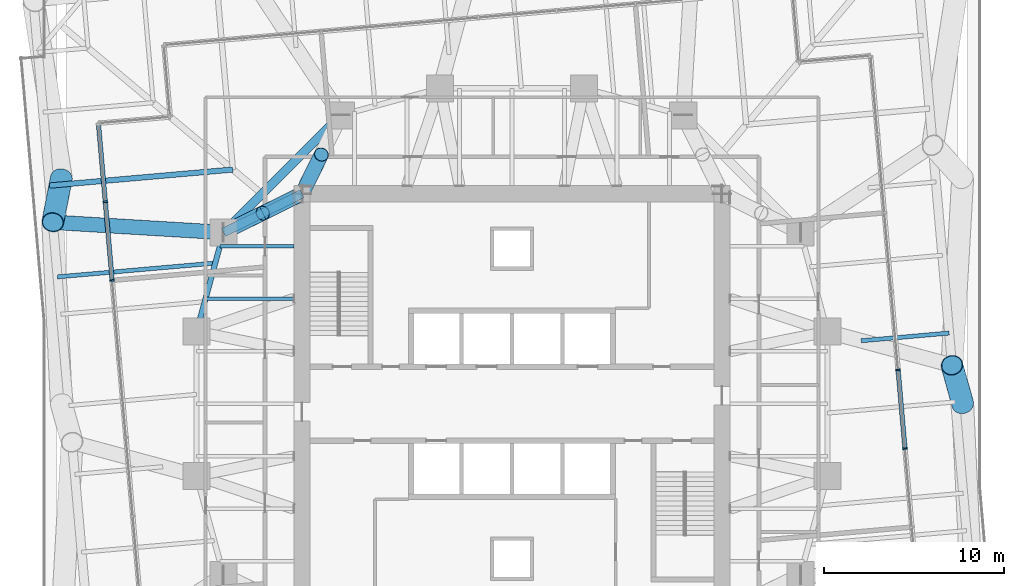
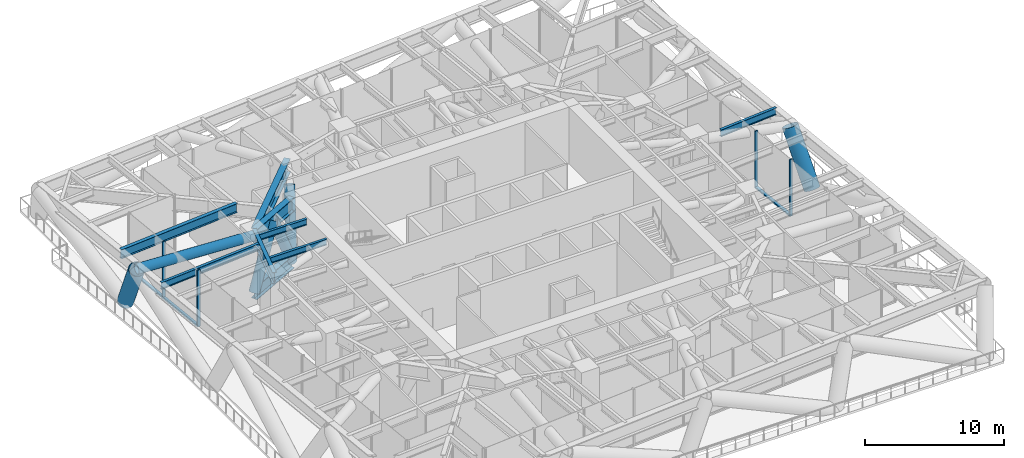
# One storey, part 5 of 14: 15 members, 7 beams, 2 elements without a shape of their own.
"""IFC4 building model written with IfcOpenShell, lengths in metres."""

from ifc_helpers import new_model, si_unit, direction, frame, origin, origin_2d, place, context, subcontext, project, spatial, rectangle, hollow_circle, i_section, extrude, material, material_profile, profile_set, type_object, element, aggregate, save


model = new_model("IFC4")

# Units and contexts
model_context = context("Model", 3, precision=1e-05, world=origin(), true_north=direction((0.0, 1.0)))
body_context = subcontext(model_context, "Body", "Model", "MODEL_VIEW")
ifc_project = project(units=[si_unit("LENGTHUNIT", "METRE"), si_unit("AREAUNIT", "SQUARE_METRE"), si_unit("VOLUMEUNIT", "CUBIC_METRE"), si_unit("PLANEANGLEUNIT", "RADIAN"), si_unit("MASSUNIT", "GRAM", prefix="KILO")], contexts=[model_context])

# Site, building, storey
site_placement = place(None, origin())
site = spatial("IfcSite", under=ifc_project, at=site_placement, CompositionType="ELEMENT")
building_placement = place(site_placement, origin())
building = spatial("IfcBuilding", under=site, at=building_placement, Name="Torsade Residences", CompositionType="ELEMENT")
storey_placement = place(building_placement, frame((0.0, 0.0, 42.199951171875)))
storey = spatial("IfcBuildingStorey", under=building, at=storey_placement, Name="L11", CompositionType="ELEMENT", Elevation=42.199951171875)

# Beams
ifc_material_1 = material(Name="Steel grade 300", Category="steel")
ifc_material_profile_1 = material_profile(ifc_material_1, i_section(OverallWidth=0.208984375, OverallDepth=0.528076171875, WebThickness=0.009521484375, FlangeThickness=0.01318359375, FilletRadius=0.013916015625, at=origin_2d()), Name="530UB82.0")
ifc_profile_set_1 = profile_set([ifc_material_profile_1], Name="Steel grade 300")
beam_type_1 = type_object("IfcBeamType", Name="INNER FLOOR BEAM 530UB82.0", PredefinedType="JOIST", material=ifc_profile_set_1)
beam_1_placement = place(storey_placement, frame((27.89990234375, 38.737548828125, 4.5859375), z_axis=(-1.0, 0.0, 0.0), x_axis=(0.0, -1.0, 0.0)))
element("IfcBeam", 1, at=beam_1_placement, inside=storey, type_object=beam_type_1, Name="Inner floor beam IW01 L12", PredefinedType="JOIST", context=body_context, shape_type="SweptSolid", body=[
    extrude(i_section(OverallWidth=0.208984375, OverallDepth=0.528076171875, WebThickness=0.009521484375, FlangeThickness=0.01318359375, FilletRadius=0.013916015625, at=origin_2d()), origin(), (0.0, 0.0, 1.0), 4.10791015625),
])
beam_2_placement = place(storey_placement, frame((27.89990234375, 35.824951171875, 4.5859375), z_axis=(-1.0, 0.0, 0.0), x_axis=(0.0, -1.0, 0.0)))
element("IfcBeam", 2, at=beam_2_placement, inside=storey, type_object=beam_type_1, Name="Inner floor beam IW02 L12", PredefinedType="JOIST", context=body_context, shape_type="SweptSolid", body=[
    extrude(i_section(OverallWidth=0.208984375, OverallDepth=0.528076171875, WebThickness=0.009521484375, FlangeThickness=0.01318359375, FilletRadius=0.013916015625, at=origin_2d()), origin(), (0.0, 0.0, 1.0), 4.902099609375),
])

# Members
ifc_material_2 = material(Name="Steel grade 350", Category="steel")
ifc_material_profile_2 = material_profile(ifc_material_2, i_section(OverallWidth=0.5, OverallDepth=1.199951171875, WebThickness=0.031982421875, FlangeThickness=0.050048828125, at=origin_2d()), Name="1200x500x50x32WPG")
ifc_profile_set_2 = profile_set([ifc_material_profile_2], Name="Steel grade 350")
member_type_1 = type_object("IfcMemberType", Name="OUTRIGGER CHORD", PredefinedType="CHORD", material=ifc_profile_set_2)
for number, where, z_axis, x_axis, name in (
    (3, (28.35009765625, 41.64990234375, 4.25), (-0.896490509266, -0.443062937737, 0.0), (0.443062937737, -0.896490509266, 0.0), "Outrigger IR08 top chord L11"),
    (4, (28.35009765625, 41.64990234375, -0.75), (-0.896490509266, -0.443062937737, 0.0), (0.443062937737, -0.896490509266, 0.0), "Outrigger IR08 bottom chord L11"),
):
    element("IfcMember", number, at=place(storey_placement, frame(where, z_axis=z_axis, x_axis=x_axis)), inside=storey, type_object=member_type_1, Name=name, PredefinedType="CHORD", context=body_context, shape_type="SweptSolid", body=[
        extrude(i_section(OverallWidth=0.5, OverallDepth=1.199951171875, WebThickness=0.031982421875, FlangeThickness=0.050048828125, at=origin_2d()), origin(), (0.0, 0.0, 1.0), 4.852294921875),
    ])
ifc_material_3 = material(Name="Steel grade 450", Category="steel")
ifc_material_profile_3 = material_profile(ifc_material_3, hollow_circle(Radius=0.406494140625, WallThickness=0.02490234375, at=origin_2d()), Name="813.0x25.0CHS")
ifc_profile_set_3 = profile_set([ifc_material_profile_3], Name="Steel grade 450")
member_type_2 = type_object("IfcMemberType", Name="OUTRIGGER DIAGONAL", PredefinedType="BRACE", material=ifc_profile_set_3)
for number, where, z_axis, x_axis, name in (
    (5, (28.35009765625, 41.64990234375, -0.75), (0.193421786849, 0.391368316838, 0.899677082595), (-0.896490509266, 0.443062937737, 0.0), "Outrigger IR07 diagonal 1 L11"),
    (6, (28.35009765625, 41.64990234375, -0.75), (-0.391368316838, -0.193421786849, 0.899677082595), (0.443062937737, -0.896490509266, 0.0), "Outrigger IR08 diagonal 1 L11"),
    (7, (24.0, 39.5, -0.75), (0.391368316838, 0.193421786849, 0.899677082595), (-0.443062937737, 0.896490509266, 0.0), "Outrigger IR08 diagonal 2 L11"),
):
    element("IfcMember", number, at=place(storey_placement, frame(where, z_axis=z_axis, x_axis=x_axis)), inside=storey, type_object=member_type_2, Name=name, PredefinedType="BRACE", context=body_context, shape_type="SweptSolid", body=[
        extrude(hollow_circle(Radius=0.406494140625, WallThickness=0.02490234375, at=origin_2d()), origin(), (0.0, 0.0, 1.0), 5.5576171875),
    ])

# Beams
ifc_material_4 = material(Name="Steel grade 300", Category="steel")
ifc_material_profile_4 = material_profile(ifc_material_4, i_section(OverallWidth=0.5, OverallDepth=1.199951171875, WebThickness=0.01611328125, FlangeThickness=0.0400390625, at=origin_2d()), Name="1200WB455")
ifc_profile_set_4 = profile_set([ifc_material_profile_4], Name="Steel grade 300")
beam_type_2 = type_object("IfcBeamType", Name="RING CORNER GIRDER 1200WB455", PredefinedType="BEAM", material=ifc_profile_set_4)
beam_3_placement = place(storey_placement, frame((30.5, 46.0, 4.25), z_axis=(-0.707106781187, -0.707106781187, 0.0), x_axis=(0.707106781187, -0.707106781187, 0.0)))
element("IfcBeam", 8, at=beam_3_placement, inside=storey, type_object=beam_type_2, Name="Ring girder IR07 L12", PredefinedType="BEAM", context=body_context, shape_type="SweptSolid", body=[
    extrude(i_section(OverallWidth=0.5, OverallDepth=1.199951171875, WebThickness=0.01611328125, FlangeThickness=0.0400390625, at=origin_2d()), origin(), (0.0, 0.0, 1.0), 9.1923828125),
])
ifc_material_5 = material(Name="Steel grade 300", Category="steel")
ifc_material_profile_5 = material_profile(ifc_material_5, i_section(OverallWidth=0.300048828125, OverallDepth=1.0, WebThickness=0.01611328125, FlangeThickness=0.028076171875, at=origin_2d()), Name="1000WB215")
ifc_profile_set_5 = profile_set([ifc_material_profile_5], Name="Steel grade 300")
beam_type_3 = type_object("IfcBeamType", Name="RING GIRDER 1000WB215", PredefinedType="BEAM", material=ifc_profile_set_5)
beam_4_placement = place(storey_placement, frame((24.0, 39.5, 4.35009765625), z_axis=(-0.263117405792, -0.964763821238, 0.0), x_axis=(0.964763821238, -0.263117405792, 0.0)))
element("IfcBeam", 9, at=beam_4_placement, inside=storey, type_object=beam_type_3, Name="Ring girder IR08 L12", PredefinedType="BEAM", context=body_context, shape_type="SweptSolid", body=[
    extrude(i_section(OverallWidth=0.300048828125, OverallDepth=1.0, WebThickness=0.01611328125, FlangeThickness=0.028076171875, at=origin_2d()), origin(), (0.0, 0.0, 1.0), 5.700927734375),
])
ifc_material_6 = material(Name="Steel grade 300", Category="steel")
ifc_material_profile_6 = material_profile(ifc_material_6, i_section(OverallWidth=0.22900390625, OverallDepth=0.612060546875, WebThickness=0.011962890625, FlangeThickness=0.01953125, FilletRadius=0.013916015625, at=origin_2d()), Name="610UB125")
ifc_profile_set_6 = profile_set([ifc_material_profile_6], Name="Steel grade 300")
beam_type_4 = type_object("IfcBeamType", Name="SECONDARY BEAM 610UB125", PredefinedType="JOIST", material=ifc_profile_set_6)
beam_5_placement = place(storey_placement, frame((64.250732421875, 33.920166015625, 4.5439453125), z_axis=(-0.996194962831, -0.087152716714, 0.0), x_axis=(0.087152716714, -0.996194962831, 0.0)))
element("IfcBeam", 10, at=beam_5_placement, inside=storey, type_object=beam_type_4, Name="Floor beam FE07 L12", PredefinedType="JOIST", context=body_context, shape_type="SweptSolid", body=[
    extrude(i_section(OverallWidth=0.22900390625, OverallDepth=0.612060546875, WebThickness=0.011962890625, FlangeThickness=0.01953125, FilletRadius=0.013916015625, at=origin_2d()), origin(), (0.0, 0.0, 1.0), 4.893798828125),
])
beam_6_placement = place(storey_placement, frame((14.790771484375, 37.0380859375, 4.5439453125), z_axis=(0.996195588568, 0.087145563964, 0.0), x_axis=(-0.087145563964, 0.996195588568, 0.0)))
element("IfcBeam", 11, at=beam_6_placement, inside=storey, type_object=beam_type_4, Name="Floor beam FW04 L12", PredefinedType="JOIST", context=body_context, shape_type="SweptSolid", body=[
    extrude(i_section(OverallWidth=0.22900390625, OverallDepth=0.612060546875, WebThickness=0.011962890625, FlangeThickness=0.01953125, FilletRadius=0.013916015625, at=origin_2d()), origin(), (0.0, 0.0, 1.0), 8.780029296875),
])
ifc_material_7 = material(Name="Steel grade 300", Category="steel")
ifc_material_profile_7 = material_profile(ifc_material_7, i_section(OverallWidth=0.300048828125, OverallDepth=0.800048828125, WebThickness=0.010009765625, FlangeThickness=0.02001953125, at=origin_2d()), Name="800WB146")
ifc_profile_set_7 = profile_set([ifc_material_profile_7], Name="Steel grade 300")
beam_type_5 = type_object("IfcBeamType", Name="SECONDARY BEAM 800WB146", PredefinedType="JOIST", material=ifc_profile_set_7)
beam_7_placement = place(storey_placement, frame((14.34765625, 42.10205078125, 4.449951171875), z_axis=(0.996195222988, 0.087149742944, 0.0), x_axis=(-0.087149742944, 0.996195222988, 0.0)))
element("IfcBeam", 12, at=beam_7_placement, inside=storey, type_object=beam_type_5, Name="Floor beam FW03 L12", PredefinedType="JOIST", context=body_context, shape_type="SweptSolid", body=[
    extrude(i_section(OverallWidth=0.300048828125, OverallDepth=0.800048828125, WebThickness=0.010009765625, FlangeThickness=0.02001953125, at=origin_2d()), origin(), (0.0, 0.0, 1.0), 10.208251953125),
])

# Member
ifc_material_8 = material(Name="Steel grade 450", Category="steel")
ifc_material_profile_8 = material_profile(ifc_material_8, hollow_circle(Radius=0.406494140625, WallThickness=0.02490234375, at=origin_2d()), Name="813.0x25.0CHS")
ifc_profile_set_8 = profile_set([ifc_material_profile_8], Name="Steel grade 450")
member_type_3 = type_object("IfcMemberType", Name="TRANSFER FLOOR STRUT 813.0x25.0CHS", PredefinedType="STRUT", material=ifc_profile_set_8)
member_1_placement = place(storey_placement, frame((14.525634765625, 40.068115234375, 4.25), z_axis=(0.998207028485, -0.05985589598, 0.0), x_axis=(0.05985589598, 0.998207028485, 0.0)))
element("IfcMember", 13, at=member_1_placement, inside=storey, type_object=member_type_3, Name="Transfer floor strut TT1 top 14IR08", PredefinedType="STRUT", context=body_context, shape_type="SweptSolid", body=[
    extrude(hollow_circle(Radius=0.406494140625, WallThickness=0.02490234375, at=origin_2d()), origin(), (0.0, 0.0, 1.0), 9.491455078125),
])

# Curtain wall, members
ifc_material_9 = material(Name="Aluminium and glass", Category="aluminium")
curtain_wall_type = type_object("IfcCurtainWallType", Name="TRANSFER LEVEL CURTAIN WALL LOW ZONE", PredefinedType="NOTDEFINED", material=ifc_material_9)
curtain_wall_1_placement = place(storey_placement, origin())
curtain_wall_1 = element("IfcCurtainWall", 14, at=curtain_wall_1_placement, inside=storey, type_object=curtain_wall_type, Name="Curtain wall L11 face 4", PredefinedType="NOTDEFINED")
ifc_material_10 = material(Name="Aluminium mullion", Category="aluminium")
ifc_material_profile_9 = material_profile(ifc_material_10, rectangle(XDim=0.25, YDim=0.10009765625, at=origin_2d()), Name="TRANSFER LEVEL CURTAIN WALL MULLION 250x100")
ifc_profile_set_9 = profile_set([ifc_material_profile_9], Name="Aluminium mullion")
member_type_4 = type_object("IfcMemberType", Name="TRANSFER LEVEL CURTAIN WALL MULLION 250x100", PredefinedType="MULLION", material=ifc_profile_set_9)
member_2_placement = place(storey_placement, frame((61.799560546875, 27.515380859375, 0.0), z_axis=(0.0, 0.0, 1.0), x_axis=(-0.996194698206, -0.087155741444, 0.0)))
member_2 = element("IfcMember", 15, at=member_2_placement, type_object=member_type_4, Name="Mullion 4", PredefinedType="MULLION", context=body_context, shape_type="SweptSolid", body=[
    extrude(rectangle(XDim=0.25, YDim=0.10009765625, at=origin_2d()), origin(), (0.0, 0.0, 1.0), 5.0),
])
member_3_placement = place(storey_placement, frame((61.418212890625, 31.873779296875, 0.0), z_axis=(0.0, 0.0, 1.0), x_axis=(-0.996194698206, -0.087155741444, 0.0)))
member_3 = element("IfcMember", 16, at=member_3_placement, type_object=member_type_4, Name="Mullion 5", PredefinedType="MULLION", context=body_context, shape_type="SweptSolid", body=[
    extrude(rectangle(XDim=0.25, YDim=0.10009765625, at=origin_2d()), origin(), (0.0, 0.0, 1.0), 5.0),
])

curtain_wall_2_placement = place(storey_placement, origin())
curtain_wall_2 = element("IfcCurtainWall", 17, at=curtain_wall_2_placement, inside=storey, type_object=curtain_wall_type, Name="Curtain wall L11 face 10", PredefinedType="NOTDEFINED")
member_4_placement = place(storey_placement, frame((17.43798828125, 41.201171875, 0.0), z_axis=(0.0, 0.0, 1.0), x_axis=(0.996194698206, 0.087155741444, 0.0)))
member_4 = element("IfcMember", 18, at=member_4_placement, type_object=member_type_4, Name="Mullion 2", PredefinedType="MULLION", context=body_context, shape_type="SweptSolid", body=[
    extrude(rectangle(XDim=0.25, YDim=0.10009765625, at=origin_2d()), origin(), (0.0, 0.0, 1.0), 5.0),
])
member_5_placement = place(storey_placement, frame((17.819091796875, 36.8427734375, 0.0), z_axis=(0.0, 0.0, 1.0), x_axis=(0.996194698206, 0.087155741444, 0.0)))
member_5 = element("IfcMember", 19, at=member_5_placement, type_object=member_type_4, Name="Mullion 3", PredefinedType="MULLION", context=body_context, shape_type="SweptSolid", body=[
    extrude(rectangle(XDim=0.25, YDim=0.10009765625, at=origin_2d()), origin(), (0.0, 0.0, 1.0), 5.0),
])

# Member
ifc_material_11 = material(Name="Aluminium transom", Category="aluminium")
ifc_material_profile_10 = material_profile(ifc_material_11, rectangle(XDim=0.25, YDim=0.1201171875, at=origin_2d()), Name="TRANSFER LEVEL CURTAIN WALL TRANSOM 250x120")
ifc_profile_set_10 = profile_set([ifc_material_profile_10], Name="Aluminium transom")
member_type_5 = type_object("IfcMemberType", Name="TRANSFER LEVEL CURTAIN WALL TRANSOM 250x120", PredefinedType="USERDEFINED", material=ifc_profile_set_10)
member_6_placement = place(storey_placement, frame((61.795166015625, 27.565185546875, 0.06005859375), z_axis=(-0.087147114263, 0.996195452949, 0.0), x_axis=(-0.996195452949, -0.087147114263, 0.0)))
member_6 = element("IfcMember", 20, at=member_6_placement, type_object=member_type_5, Name="Transom 4.1", ObjectType="TRANSOM", PredefinedType="USERDEFINED", context=body_context, shape_type="SweptSolid", body=[
    extrude(rectangle(XDim=0.25, YDim=0.1201171875, at=origin_2d()), origin(), (0.0, 0.0, 1.0), 4.275146484375),
])

aggregate(curtain_wall_1, [member_2, member_3, member_6])

member_7_placement = place(storey_placement, frame((17.065185546875, 45.4599609375, 0.06005859375), z_axis=(0.087195622579, -0.996191208254, 0.0), x_axis=(0.996191208254, 0.087195622579, 0.0)))
member_7 = element("IfcMember", 21, at=member_7_placement, type_object=member_type_5, Name="Transom 1.1", ObjectType="TRANSOM", PredefinedType="USERDEFINED", context=body_context, shape_type="SweptSolid", body=[
    extrude(rectangle(XDim=0.25, YDim=0.1201171875, at=origin_2d()), origin(), (0.0, 0.0, 1.0), 4.22509765625),
])

member_8_placement = place(storey_placement, frame((17.442138671875, 41.1513671875, 0.06005859375), z_axis=(0.087203788325, -0.996190493481, 0.0), x_axis=(0.996190493481, 0.087203788325, 0.0)))
member_8 = element("IfcMember", 22, at=member_8_placement, type_object=member_type_5, Name="Transom 2.1", ObjectType="TRANSOM", PredefinedType="USERDEFINED", context=body_context, shape_type="SweptSolid", body=[
    extrude(rectangle(XDim=0.25, YDim=0.1201171875, at=origin_2d()), origin(), (0.0, 0.0, 1.0), 4.275146484375),
])

aggregate(curtain_wall_2, [member_4, member_5, member_7, member_8])

# Members
ifc_material_12 = material(Name="Steel grade 450", Category="steel")
ifc_material_profile_11 = material_profile(ifc_material_12, hollow_circle(Radius=0.609619140625, WallThickness=0.0400390625, at=origin_2d()), Name="1219.0x40.0CHS")
ifc_profile_set_11 = profile_set([ifc_material_profile_11], Name="Steel grade 450")
member_type_6 = type_object("IfcMemberType", Name="TRANSFER TRUSS RAKING STRUT 1219.0x40.0CHS", PredefinedType="STRUT", material=ifc_profile_set_11)
member_9_placement = place(storey_placement, frame((65.0, 30.0, -0.199951171875), z_axis=(-0.119338522054, 0.429520458388, 0.89513713641), x_axis=(-0.963502125019, -0.267700681888, 0.0)))
element("IfcMember", 23, at=member_9_placement, inside=storey, type_object=member_type_6, Name="Transfer truss TT1 raking strut 07", PredefinedType="STRUT", context=body_context, shape_type="SweptSolid", body=[
    extrude(hollow_circle(Radius=0.609619140625, WallThickness=0.0400390625, at=origin_2d()), origin(), (0.0, 0.0, 1.0), 4.97119140625),
])
member_10_placement = place(storey_placement, frame((15.0, 42.5, -0.199951171875), z_axis=(-0.093136138788, -0.477472505643, 0.87369655259), x_axis=(0.981501883668, -0.191452480671, 0.0)))
element("IfcMember", 24, at=member_10_placement, inside=storey, type_object=member_type_6, Name="Transfer truss TT1 raking strut 14", PredefinedType="STRUT", context=body_context, shape_type="SweptSolid", body=[
    extrude(hollow_circle(Radius=0.609619140625, WallThickness=0.0400390625, at=origin_2d()), origin(), (0.0, 0.0, 1.0), 5.09326171875),
])

save(model, "model.ifc")
